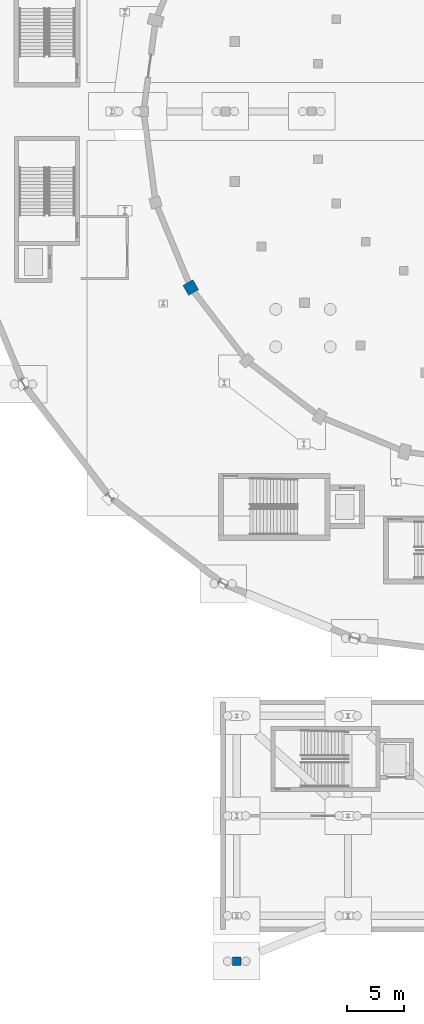
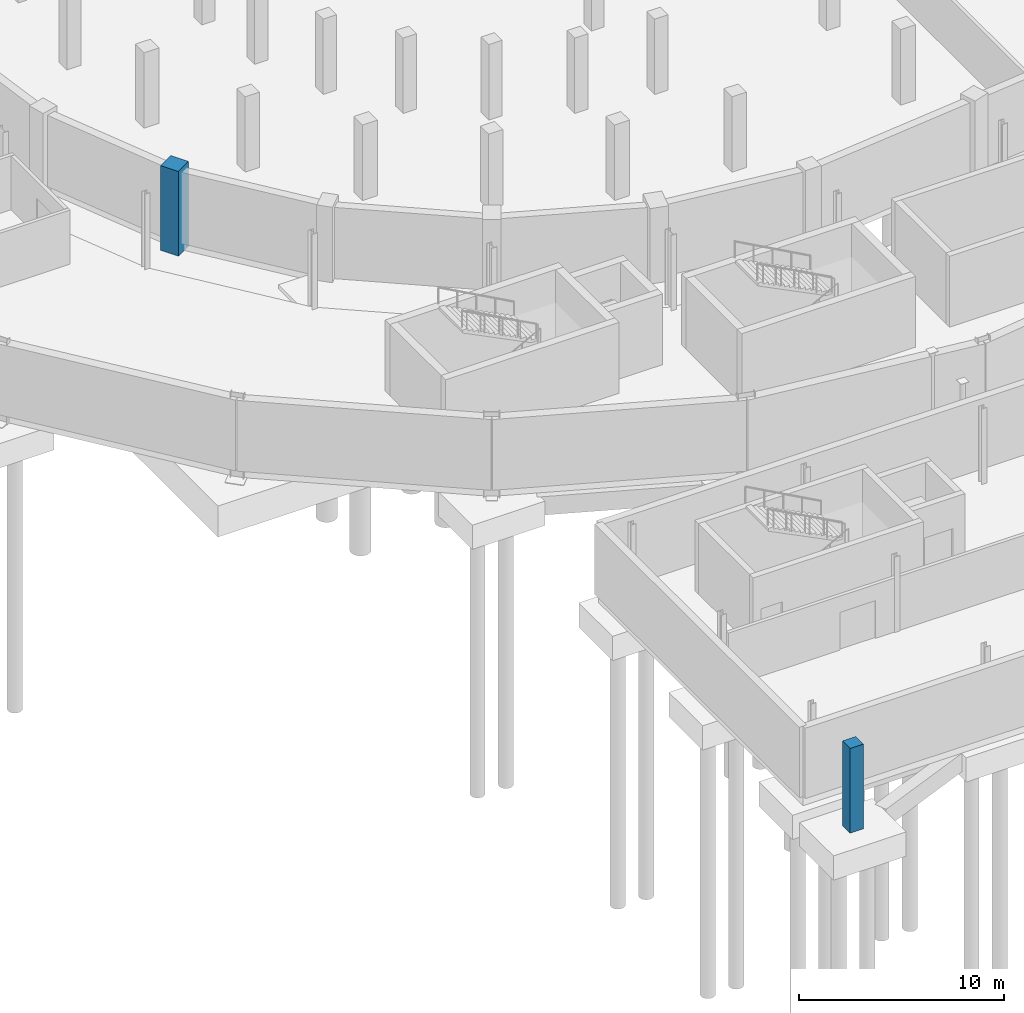
# One storey, part 10 of 55: 2 columns.
"""IFC4 building model written with IfcOpenShell, lengths in metres."""

from ifc_helpers import new_model, si_unit, direction, frame, origin, origin_2d, place, context, subcontext, project, spatial, rectangle, extrude, material, material_profile, profile_set, type_object, element, save


model = new_model("IFC4")

# Units and contexts
model_context = context("Model", 3, precision=1e-05, world=origin(), true_north=direction((0.0, 1.0)))
body_context = subcontext(model_context, "Body", "Model", "MODEL_VIEW")
ifc_project = project(units=[si_unit("LENGTHUNIT", "METRE"), si_unit("AREAUNIT", "SQUARE_METRE"), si_unit("VOLUMEUNIT", "CUBIC_METRE"), si_unit("PLANEANGLEUNIT", "RADIAN"), si_unit("MASSUNIT", "GRAM", prefix="KILO")], contexts=[model_context])

# Site, building, storey
site_placement = place(None, origin())
site = spatial("IfcSite", under=ifc_project, at=site_placement, CompositionType="ELEMENT")
building_placement = place(site_placement, origin())
building = spatial("IfcBuilding", under=site, at=building_placement, Name="Sohan Crest Arena", CompositionType="ELEMENT")
storey_placement = place(building_placement, frame((0.0, 0.0, -4.5)))
storey = spatial("IfcBuildingStorey", under=building, at=storey_placement, Name="B1", CompositionType="ELEMENT", Elevation=-4.5)

# Columns
ifc_material = material(Name="Concrete C40/50", Category="concrete")
ifc_material_profile_1 = material_profile(ifc_material, rectangle(XDim=0.75, YDim=0.75, at=origin_2d()), Name="RC 750x750")
ifc_profile_set_1 = profile_set([ifc_material_profile_1], Name="Concrete C40/50")
column_type_1 = type_object("IfcColumnType", Name="STR-COL-C04", PredefinedType="COLUMN", material=ifc_profile_set_1)
column_1_placement = place(storey_placement, frame((75.199951171875, 3.199951171875, -0.550048828125), z_axis=(0.0, 0.0, 1.0), x_axis=(1.0, 0.0, 0.0)))
element("IfcColumn", 1, at=column_1_placement, inside=storey, type_object=column_type_1, Name="Structural column COL-V5AP-1-B1", PredefinedType="COLUMN", context=body_context, shape_type="SweptSolid", body=[
    extrude(rectangle(XDim=0.75, YDim=0.75, at=origin_2d()), origin(), (0.0, 0.0, 1.0), 5.050048828125),
])
ifc_material_profile_2 = material_profile(ifc_material, rectangle(XDim=1.0, YDim=1.0, at=origin_2d()), Name="RC 1000x1000")
ifc_profile_set_2 = profile_set([ifc_material_profile_2], Name="Concrete C40/50")
column_type_2 = type_object("IfcColumnType", Name="STR-COL-C09", PredefinedType="COLUMN", material=ifc_profile_set_2)
column_2_placement = place(storey_placement, frame((71.153076171875, 62.5, -0.550048828125), z_axis=(0.0, 0.0, 1.0), x_axis=(0.866025403784, 0.5, 0.0)))
element("IfcColumn", 2, at=column_2_placement, inside=storey, type_object=column_type_2, Name="Structural column COL-V1R-09-B1", PredefinedType="COLUMN", context=body_context, shape_type="SweptSolid", body=[
    extrude(rectangle(XDim=1.0, YDim=1.0, at=origin_2d()), origin(), (0.0, 0.0, 1.0), 5.050048828125),
])

save(model, "model.ifc")
